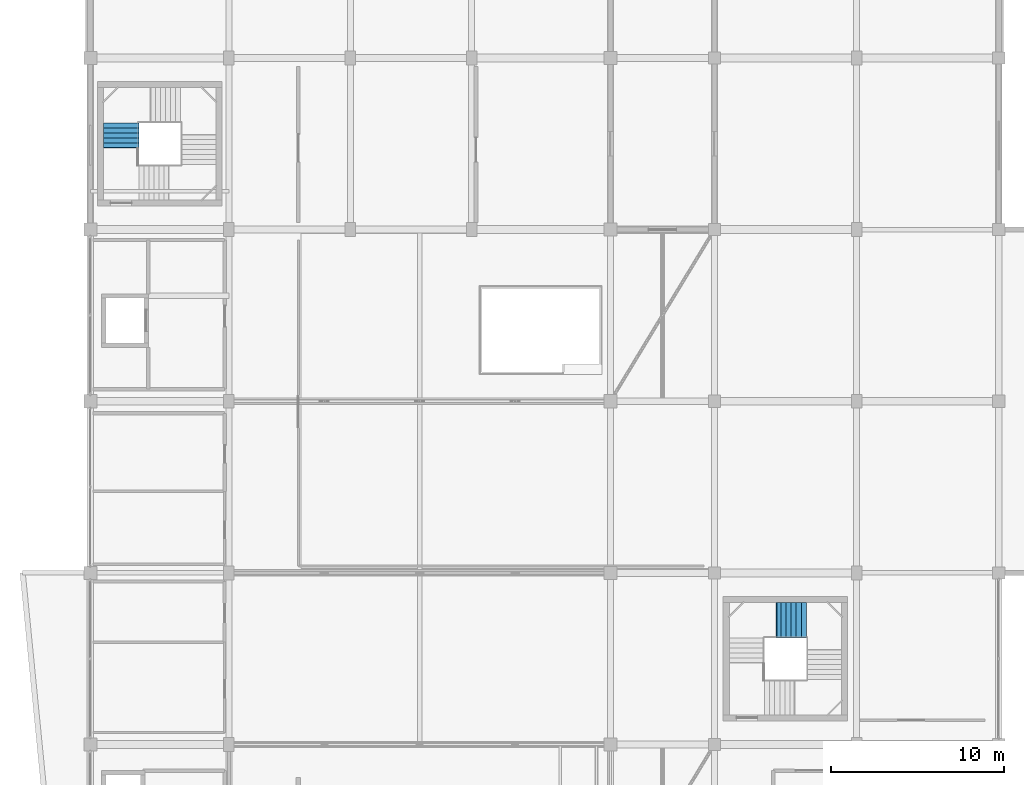
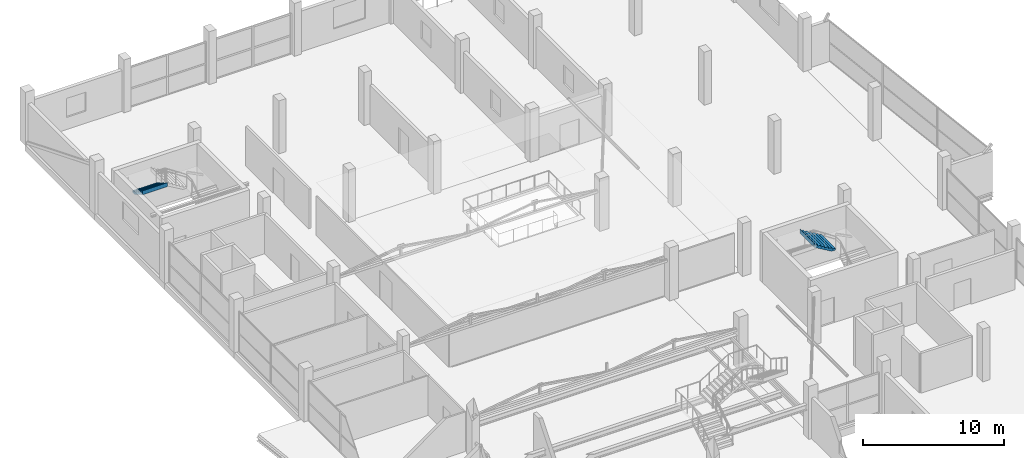
# One storey, part 52 of 55: 2 stair flights, 2 elements without a shape of their own.
"""IFC4 building model written with IfcOpenShell, lengths in metres."""

from ifc_helpers import new_model, si_unit, direction, frame, origin, place, context, subcontext, project, spatial, triangles, material, type_object, element, aggregate, save


model = new_model("IFC4")

# Units and contexts
model_context = context("Model", 3, precision=1e-05, world=origin(), true_north=direction((0.0, 1.0)))
body_context = subcontext(model_context, "Body", "Model", "MODEL_VIEW")
ifc_project = project(units=[si_unit("LENGTHUNIT", "METRE"), si_unit("AREAUNIT", "SQUARE_METRE"), si_unit("VOLUMEUNIT", "CUBIC_METRE"), si_unit("PLANEANGLEUNIT", "RADIAN"), si_unit("MASSUNIT", "GRAM", prefix="KILO")], contexts=[model_context])

# Site, building, storey
site_placement = place(None, origin())
site = spatial("IfcSite", under=ifc_project, at=site_placement, CompositionType="ELEMENT")
building_placement = place(site_placement, origin())
building = spatial("IfcBuilding", under=site, at=building_placement, Name="Sillaruma Civic Art Gallery", CompositionType="ELEMENT")
storey_placement = place(building_placement, frame((0.0, 0.0, 37.739990234375)))
storey = spatial("IfcBuildingStorey", under=building, at=storey_placement, Name="L07", CompositionType="ELEMENT", Elevation=37.739990234375)

# Stair, stair flight
ifc_material = material(Name="Concrete H35 (35 MPa)", Category="concrete")
stair_type = type_object("IfcStairType", Name="STR-4F-27", PredefinedType="USERDEFINED", material=ifc_material)
stair_1_placement = place(storey_placement, origin())
stair_1 = element("IfcStair", 1, at=stair_1_placement, inside=storey, type_object=stair_type, Name="Protected Exit Stair ST-02 (West Bar North) (L07)", ObjectType="THREE_RETURN_STAIR", PredefinedType="USERDEFINED")
stair_flight_type_1 = type_object("IfcStairFlightType", Name="SFL-STR-6", PredefinedType="STRAIGHT", material=ifc_material)
stair_flight_1_placement = place(storey_placement, frame((63.780029296875, 85.35009765625, 3.570068359375), z_axis=(0.0, 0.0, 1.0), x_axis=(0.0, -1.0, 0.0)))
stair_flight_1 = element("IfcStairFlight", 2, at=stair_flight_1_placement, type_object=stair_flight_type_1, Name="ST-02 flight 4", NumberOfRisers=6, NumberOfTreads=5, PredefinedType="STRAIGHT", RiserHeight=0.17, TreadLength=0.29, context=body_context, shape_type="Tessellation", body=[
    triangles([(0.0, -1.02001953125, 0.0), (0.29, -1.02001953125, 0.0), (0.296365, -1.02001953125, 0.0), (0.58, -1.02001953125, 0.166269), (0.87, -1.02001953125, 0.336269), (1.16, -1.02001953125, 0.506269), (1.409951, -1.02001953125, 0.652792), (1.449951, -1.02001953125, 0.67624), (1.449951, -1.02001953125, 1.02), (1.409951, -1.02001953125, 1.02), (1.409951, -1.02001953125, 0.85), (1.16, -1.02001953125, 0.85), (1.16, -1.02001953125, 0.68), (0.87, -1.02001953125, 0.68), (0.87, -1.02001953125, 0.51), (0.58, -1.02001953125, 0.51), (0.58, -1.02001953125, 0.34), (0.296365, -1.02001953125, 0.34), (0.29, -1.02001953125, 0.34), (0.29, -1.02001953125, 0.17), (0.0, -1.02001953125, 0.17), (0.0, -0.05, 0.0), (0.29, -0.05, 0.0), (0.296365, -0.05, 0.0), (0.58, -0.05, 0.166269), (0.87, -0.05, 0.336269), (1.16, -0.05, 0.506269), (1.409951, -0.05, 0.652792), (1.449951, -0.05, 0.67624), (1.449951, -0.05, 1.02), (1.409951, -0.05, 1.02), (1.409951, -0.05, 0.85), (1.16, -0.05, 0.85), (1.16, -0.05, 0.68), (0.87, -0.05, 0.68), (0.87, -0.05, 0.51), (0.58, -0.05, 0.51), (0.58, -0.05, 0.34), (0.296365, -0.05, 0.34), (0.29, -0.05, 0.34), (0.29, -0.05, 0.17), (0.0, -0.05, 0.17), (0.0, -0.0375, 0.0), (0.29, -0.0375, 0.0), (0.296365, -0.0375, 0.0), (0.58, -0.0375, 0.166269), (0.87, -0.0375, 0.336269), (1.16, -0.0375, 0.506269), (1.409951, -0.0375, 0.652792), (1.449951, -0.0375, 0.67624), (1.449951, -0.0375, 1.02), (1.409951, -0.0375, 1.02), (1.409951, -0.0375, 0.85), (1.16, -0.0375, 0.85), (1.16, -0.0375, 0.68), (0.87, -0.0375, 0.68), (0.87, -0.0375, 0.51), (0.58, -0.0375, 0.51), (0.58, -0.0375, 0.34), (0.296365, -0.0375, 0.34), (0.29, -0.0375, 0.34), (0.29, -0.0375, 0.17), (0.0, -0.0375, 0.17), (0.0, -0.025, 0.0), (0.29, -0.025, 0.0), (0.296365, -0.025, 0.0), (0.58, -0.025, 0.166269), (0.87, -0.025, 0.336269), (1.16, -0.025, 0.506269), (1.409951, -0.025, 0.652792), (1.449951, -0.025, 0.67624), (1.449951, -0.025, 1.02), (1.409951, -0.025, 1.02), (1.409951, -0.025, 0.85), (1.16, -0.025, 0.85), (1.16, -0.025, 0.68), (0.87, -0.025, 0.68), (0.87, -0.025, 0.51), (0.58, -0.025, 0.51), (0.58, -0.025, 0.34), (0.296365, -0.025, 0.34), (0.29, -0.025, 0.34), (0.29, -0.025, 0.17), (0.0, -0.025, 0.17), (0.0, -0.0125, 0.0), (0.29, -0.0125, 0.0), (0.296365, -0.0125, 0.0), (0.58, -0.0125, 0.166269), (0.87, -0.0125, 0.336269), (1.16, -0.0125, 0.506269), (1.409951, -0.0125, 0.652792), (1.449951, -0.0125, 0.67624), (1.449951, -0.0125, 1.02), (1.409951, -0.0125, 1.02), (1.409951, -0.0125, 0.85), (1.16, -0.0125, 0.85), (1.16, -0.0125, 0.68), (0.87, -0.0125, 0.68), (0.87, -0.0125, 0.51), (0.58, -0.0125, 0.51), (0.58, -0.0125, 0.34), (0.296365, -0.0125, 0.34), (0.29, -0.0125, 0.34), (0.29, -0.0125, 0.17), (0.0, -0.0125, 0.17), (0.0, 0.0, 0.0), (0.29, 0.0, 0.0), (0.296365, 0.0, 0.0), (0.58, 0.0, 0.166269), (0.87, 0.0, 0.336269), (1.16, 0.0, 0.506269), (1.409951, 0.0, 0.652792), (1.449951, 0.0, 0.67624), (1.449951, 0.0, 1.02), (1.409951, 0.0, 1.02), (1.409951, 0.0, 0.85), (1.16, 0.0, 0.85), (1.16, 0.0, 0.68), (0.87, 0.0, 0.68), (0.87, 0.0, 0.51), (0.58, 0.0, 0.51), (0.58, 0.0, 0.34), (0.296365, 0.0, 0.34), (0.29, 0.0, 0.34), (0.29, 0.0, 0.17), (0.0, 0.0, 0.17), (0.0, 0.0125, 0.0), (0.29, 0.0125, 0.0), (0.296365, 0.0125, 0.0), (0.58, 0.0125, 0.166269), (0.87, 0.0125, 0.336269), (1.16, 0.0125, 0.506269), (1.409951, 0.0125, 0.652792), (1.449951, 0.0125, 0.67624), (1.449951, 0.0125, 1.02), (1.409951, 0.0125, 1.02), (1.409951, 0.0125, 0.85), (1.16, 0.0125, 0.85), (1.16, 0.0125, 0.68), (0.87, 0.0125, 0.68), (0.87, 0.0125, 0.51), (0.58, 0.0125, 0.51), (0.58, 0.0125, 0.34), (0.296365, 0.0125, 0.34), (0.29, 0.0125, 0.34), (0.29, 0.0125, 0.17), (0.0, 0.0125, 0.17), (0.0, 0.025, 0.0), (0.29, 0.025, 0.0), (0.296365, 0.025, 0.0), (0.58, 0.025, 0.166269), (0.87, 0.025, 0.336269), (1.16, 0.025, 0.506269), (1.409951, 0.025, 0.652792), (1.449951, 0.025, 0.67624), (1.449951, 0.025, 1.02), (1.409951, 0.025, 1.02), (1.409951, 0.025, 0.85), (1.16, 0.025, 0.85), (1.16, 0.025, 0.68), (0.87, 0.025, 0.68), (0.87, 0.025, 0.51), (0.58, 0.025, 0.51), (0.58, 0.025, 0.34), (0.296365, 0.025, 0.34), (0.29, 0.025, 0.34), (0.29, 0.025, 0.17), (0.0, 0.025, 0.17), (0.0, 0.0375, 0.0), (0.29, 0.0375, 0.0), (0.296365, 0.0375, 0.0), (0.58, 0.0375, 0.166269), (0.87, 0.0375, 0.336269), (1.16, 0.0375, 0.506269), (1.409951, 0.0375, 0.652792), (1.449951, 0.0375, 0.67624), (1.449951, 0.0375, 1.02), (1.409951, 0.0375, 1.02), (1.409951, 0.0375, 0.85), (1.16, 0.0375, 0.85), (1.16, 0.0375, 0.68), (0.87, 0.0375, 0.68), (0.87, 0.0375, 0.51), (0.58, 0.0375, 0.51), (0.58, 0.0375, 0.34), (0.296365, 0.0375, 0.34), (0.29, 0.0375, 0.34), (0.29, 0.0375, 0.17), (0.0, 0.0375, 0.17), (0.0, 0.05, 0.0), (0.29, 0.05, 0.0), (0.296365, 0.05, 0.0), (0.58, 0.05, 0.166269), (0.87, 0.05, 0.336269), (1.16, 0.05, 0.506269), (1.409951, 0.05, 0.652792), (1.449951, 0.05, 0.67624), (1.449951, 0.05, 1.02), (1.409951, 0.05, 1.02), (1.409951, 0.05, 0.85), (1.16, 0.05, 0.85), (1.16, 0.05, 0.68), (0.87, 0.05, 0.68), (0.87, 0.05, 0.51), (0.58, 0.05, 0.51), (0.58, 0.05, 0.34), (0.296365, 0.05, 0.34), (0.29, 0.05, 0.34), (0.29, 0.05, 0.17), (0.0, 0.05, 0.17), (0.0, 1.02001953125, 0.0), (0.29, 1.02001953125, 0.0), (0.296365, 1.02001953125, 0.0), (0.58, 1.02001953125, 0.166269), (0.87, 1.02001953125, 0.336269), (1.16, 1.02001953125, 0.506269), (1.409951, 1.02001953125, 0.652792), (1.449951, 1.02001953125, 0.67624), (1.449951, 1.02001953125, 1.02), (1.409951, 1.02001953125, 1.02), (1.409951, 1.02001953125, 0.85), (1.16, 1.02001953125, 0.85), (1.16, 1.02001953125, 0.68), (0.87, 1.02001953125, 0.68), (0.87, 1.02001953125, 0.51), (0.58, 1.02001953125, 0.51), (0.58, 1.02001953125, 0.34), (0.296365, 1.02001953125, 0.34), (0.29, 1.02001953125, 0.34), (0.29, 1.02001953125, 0.17), (0.0, 1.02001953125, 0.17)], [[1, 2, 20], [1, 20, 21], [2, 3, 18], [2, 18, 20], [20, 18, 19], [3, 4, 17], [3, 17, 18], [4, 5, 15], [4, 15, 17], [17, 15, 16], [5, 6, 13], [5, 13, 15], [15, 13, 14], [6, 7, 11], [6, 11, 13], [13, 11, 12], [7, 8, 9], [7, 9, 11], [11, 9, 10], [230, 212, 211], [231, 230, 211], [228, 213, 212], [230, 228, 212], [229, 228, 230], [227, 214, 213], [228, 227, 213], [225, 215, 214], [227, 225, 214], [226, 225, 227], [223, 216, 215], [225, 223, 215], [224, 223, 225], [221, 217, 216], [223, 221, 216], [222, 221, 223], [219, 218, 217], [221, 219, 217], [220, 219, 221], [2, 1, 22], [2, 22, 23], [3, 2, 23], [3, 23, 24], [4, 3, 24], [4, 24, 25], [5, 4, 25], [5, 25, 26], [6, 5, 26], [6, 26, 27], [7, 6, 27], [7, 27, 28], [8, 7, 28], [8, 28, 29], [9, 8, 29], [9, 29, 30], [10, 9, 30], [10, 30, 31], [11, 10, 31], [11, 31, 32], [12, 11, 32], [12, 32, 33], [13, 12, 33], [13, 33, 34], [14, 13, 34], [14, 34, 35], [15, 14, 35], [15, 35, 36], [16, 15, 36], [16, 36, 37], [17, 16, 37], [17, 37, 38], [18, 17, 38], [18, 38, 39], [19, 18, 39], [19, 39, 40], [20, 19, 40], [20, 40, 41], [21, 20, 41], [21, 41, 42], [1, 21, 42], [1, 42, 22], [23, 22, 43], [23, 43, 44], [24, 23, 44], [24, 44, 45], [25, 24, 45], [25, 45, 46], [26, 25, 46], [26, 46, 47], [27, 26, 47], [27, 47, 48], [28, 27, 48], [28, 48, 49], [29, 28, 49], [29, 49, 50], [30, 29, 50], [30, 50, 51], [31, 30, 51], [31, 51, 52], [32, 31, 52], [32, 52, 53], [33, 32, 53], [33, 53, 54], [34, 33, 54], [34, 54, 55], [35, 34, 55], [35, 55, 56], [36, 35, 56], [36, 56, 57], [37, 36, 57], [37, 57, 58], [38, 37, 58], [38, 58, 59], [39, 38, 59], [39, 59, 60], [40, 39, 60], [40, 60, 61], [41, 40, 61], [41, 61, 62], [42, 41, 62], [42, 62, 63], [22, 42, 63], [22, 63, 43], [44, 43, 64], [44, 64, 65], [45, 44, 65], [45, 65, 66], [46, 45, 66], [46, 66, 67], [47, 46, 67], [47, 67, 68], [48, 47, 68], [48, 68, 69], [49, 48, 69], [49, 69, 70], [50, 49, 70], [50, 70, 71], [51, 50, 71], [51, 71, 72], [52, 51, 72], [52, 72, 73], [53, 52, 73], [53, 73, 74], [54, 53, 74], [54, 74, 75], [55, 54, 75], [55, 75, 76], [56, 55, 76], [56, 76, 77], [57, 56, 77], [57, 77, 78], [58, 57, 78], [58, 78, 79], [59, 58, 79], [59, 79, 80], [60, 59, 80], [60, 80, 81], [61, 60, 81], [61, 81, 82], [62, 61, 82], [62, 82, 83], [63, 62, 83], [63, 83, 84], [43, 63, 84], [43, 84, 64], [65, 64, 85], [65, 85, 86], [66, 65, 86], [66, 86, 87], [67, 66, 87], [67, 87, 88], [68, 67, 88], [68, 88, 89], [69, 68, 89], [69, 89, 90], [70, 69, 90], [70, 90, 91], [71, 70, 91], [71, 91, 92], [72, 71, 92], [72, 92, 93], [73, 72, 93], [73, 93, 94], [74, 73, 94], [74, 94, 95], [75, 74, 95], [75, 95, 96], [76, 75, 96], [76, 96, 97], [77, 76, 97], [77, 97, 98], [78, 77, 98], [78, 98, 99], [79, 78, 99], [79, 99, 100], [80, 79, 100], [80, 100, 101], [81, 80, 101], [81, 101, 102], [82, 81, 102], [82, 102, 103], [83, 82, 103], [83, 103, 104], [84, 83, 104], [84, 104, 105], [64, 84, 105], [64, 105, 85], [86, 85, 106], [86, 106, 107], [87, 86, 107], [87, 107, 108], [88, 87, 108], [88, 108, 109], [89, 88, 109], [89, 109, 110], [90, 89, 110], [90, 110, 111], [91, 90, 111], [91, 111, 112], [92, 91, 112], [92, 112, 113], [93, 92, 113], [93, 113, 114], [94, 93, 114], [94, 114, 115], [95, 94, 115], [95, 115, 116], [96, 95, 116], [96, 116, 117], [97, 96, 117], [97, 117, 118], [98, 97, 118], [98, 118, 119], [99, 98, 119], [99, 119, 120], [100, 99, 120], [100, 120, 121], [101, 100, 121], [101, 121, 122], [102, 101, 122], [102, 122, 123], [103, 102, 123], [103, 123, 124], [104, 103, 124], [104, 124, 125], [105, 104, 125], [105, 125, 126], [85, 105, 126], [85, 126, 106], [107, 106, 127], [107, 127, 128], [108, 107, 128], [108, 128, 129], [109, 108, 129], [109, 129, 130], [110, 109, 130], [110, 130, 131], [111, 110, 131], [111, 131, 132], [112, 111, 132], [112, 132, 133], [113, 112, 133], [113, 133, 134], [114, 113, 134], [114, 134, 135], [115, 114, 135], [115, 135, 136], [116, 115, 136], [116, 136, 137], [117, 116, 137], [117, 137, 138], [118, 117, 138], [118, 138, 139], [119, 118, 139], [119, 139, 140], [120, 119, 140], [120, 140, 141], [121, 120, 141], [121, 141, 142], [122, 121, 142], [122, 142, 143], [123, 122, 143], [123, 143, 144], [124, 123, 144], [124, 144, 145], [125, 124, 145], [125, 145, 146], [126, 125, 146], [126, 146, 147], [106, 126, 147], [106, 147, 127], [128, 127, 148], [128, 148, 149], [129, 128, 149], [129, 149, 150], [130, 129, 150], [130, 150, 151], [131, 130, 151], [131, 151, 152], [132, 131, 152], [132, 152, 153], [133, 132, 153], [133, 153, 154], [134, 133, 154], [134, 154, 155], [135, 134, 155], [135, 155, 156], [136, 135, 156], [136, 156, 157], [137, 136, 157], [137, 157, 158], [138, 137, 158], [138, 158, 159], [139, 138, 159], [139, 159, 160], [140, 139, 160], [140, 160, 161], [141, 140, 161], [141, 161, 162], [142, 141, 162], [142, 162, 163], [143, 142, 163], [143, 163, 164], [144, 143, 164], [144, 164, 165], [145, 144, 165], [145, 165, 166], [146, 145, 166], [146, 166, 167], [147, 146, 167], [147, 167, 168], [127, 147, 168], [127, 168, 148], [149, 148, 169], [149, 169, 170], [150, 149, 170], [150, 170, 171], [151, 150, 171], [151, 171, 172], [152, 151, 172], [152, 172, 173], [153, 152, 173], [153, 173, 174], [154, 153, 174], [154, 174, 175], [155, 154, 175], [155, 175, 176], [156, 155, 176], [156, 176, 177], [157, 156, 177], [157, 177, 178], [158, 157, 178], [158, 178, 179], [159, 158, 179], [159, 179, 180], [160, 159, 180], [160, 180, 181], [161, 160, 181], [161, 181, 182], [162, 161, 182], [162, 182, 183], [163, 162, 183], [163, 183, 184], [164, 163, 184], [164, 184, 185], [165, 164, 185], [165, 185, 186], [166, 165, 186], [166, 186, 187], [167, 166, 187], [167, 187, 188], [168, 167, 188], [168, 188, 189], [148, 168, 189], [148, 189, 169], [170, 169, 190], [170, 190, 191], [171, 170, 191], [171, 191, 192], [172, 171, 192], [172, 192, 193], [173, 172, 193], [173, 193, 194], [174, 173, 194], [174, 194, 195], [175, 174, 195], [175, 195, 196], [176, 175, 196], [176, 196, 197], [177, 176, 197], [177, 197, 198], [178, 177, 198], [178, 198, 199], [179, 178, 199], [179, 199, 200], [180, 179, 200], [180, 200, 201], [181, 180, 201], [181, 201, 202], [182, 181, 202], [182, 202, 203], [183, 182, 203], [183, 203, 204], [184, 183, 204], [184, 204, 205], [185, 184, 205], [185, 205, 206], [186, 185, 206], [186, 206, 207], [187, 186, 207], [187, 207, 208], [188, 187, 208], [188, 208, 209], [189, 188, 209], [189, 209, 210], [169, 189, 210], [169, 210, 190], [191, 190, 211], [191, 211, 212], [192, 191, 212], [192, 212, 213], [193, 192, 213], [193, 213, 214], [194, 193, 214], [194, 214, 215], [195, 194, 215], [195, 215, 216], [196, 195, 216], [196, 216, 217], [197, 196, 217], [197, 217, 218], [198, 197, 218], [198, 218, 219], [199, 198, 219], [199, 219, 220], [200, 199, 220], [200, 220, 221], [201, 200, 221], [201, 221, 222], [202, 201, 222], [202, 222, 223], [203, 202, 223], [203, 223, 224], [204, 203, 224], [204, 224, 225], [205, 204, 225], [205, 225, 226], [206, 205, 226], [206, 226, 227], [207, 206, 227], [207, 227, 228], [208, 207, 228], [208, 228, 229], [209, 208, 229], [209, 229, 230], [210, 209, 230], [210, 230, 231], [190, 210, 231], [190, 231, 211]], closed=True),
])
aggregate(stair_1, [stair_flight_1])

stair_2_placement = place(storey_placement, origin())
stair_2 = element("IfcStair", 3, at=stair_2_placement, inside=storey, type_object=stair_type, Name="Protected Exit Stair ST-04 (East Bar) (L07)", ObjectType="THREE_RETURN_STAIR", PredefinedType="USERDEFINED")
stair_flight_type_2 = type_object("IfcStairFlightType", Name="SFL-STR-7", PredefinedType="STRAIGHT", material=ifc_material)
stair_flight_2_placement = place(storey_placement, frame((103.300048828125, 56.669921875, 2.380126953125), z_axis=(0.0, 0.0, 1.0), x_axis=(-1.0, 0.0, 0.0)))
stair_flight_2 = element("IfcStairFlight", 4, at=stair_flight_2_placement, type_object=stair_flight_type_2, Name="ST-04 flight 3", NumberOfRisers=7, NumberOfTreads=6, PredefinedType="STRAIGHT", RiserHeight=0.17, TreadLength=0.29, context=body_context, shape_type="Tessellation", body=[
    triangles([(0.0, -1.02001953125, 0.0), (0.29, -1.02001953125, 0.0), (0.296404, -1.02001953125, 0.0), (0.58, -1.02001953125, 0.166246), (0.87, -1.02001953125, 0.336246), (1.16, -1.02001953125, 0.506246), (1.45, -1.02001953125, 0.676246), (1.69999, -1.02001953125, 0.822792), (1.73999, -1.02001953125, 0.84624), (1.73999, -1.02001953125, 1.19), (1.69999, -1.02001953125, 1.19), (1.69999, -1.02001953125, 1.02), (1.45, -1.02001953125, 1.02), (1.45, -1.02001953125, 0.85), (1.16, -1.02001953125, 0.85), (1.16, -1.02001953125, 0.68), (0.87, -1.02001953125, 0.68), (0.87, -1.02001953125, 0.51), (0.58, -1.02001953125, 0.51), (0.58, -1.02001953125, 0.34), (0.296404, -1.02001953125, 0.34), (0.29, -1.02001953125, 0.34), (0.29, -1.02001953125, 0.17), (0.0, -1.02001953125, 0.17), (0.0, -0.05, 0.0), (0.29, -0.05, 0.0), (0.296404, -0.05, 0.0), (0.58, -0.05, 0.166246), (0.87, -0.05, 0.336246), (1.16, -0.05, 0.506246), (1.45, -0.05, 0.676246), (1.69999, -0.05, 0.822792), (1.73999, -0.05, 0.84624), (1.73999, -0.05, 1.19), (1.69999, -0.05, 1.19), (1.69999, -0.05, 1.02), (1.45, -0.05, 1.02), (1.45, -0.05, 0.85), (1.16, -0.05, 0.85), (1.16, -0.05, 0.68), (0.87, -0.05, 0.68), (0.87, -0.05, 0.51), (0.58, -0.05, 0.51), (0.58, -0.05, 0.34), (0.296404, -0.05, 0.34), (0.29, -0.05, 0.34), (0.29, -0.05, 0.17), (0.0, -0.05, 0.17), (0.0, -0.0375, 0.0), (0.29, -0.0375, 0.0), (0.296404, -0.0375, 0.0), (0.58, -0.0375, 0.166246), (0.87, -0.0375, 0.336246), (1.16, -0.0375, 0.506246), (1.45, -0.0375, 0.676246), (1.69999, -0.0375, 0.822792), (1.73999, -0.0375, 0.84624), (1.73999, -0.0375, 1.19), (1.69999, -0.0375, 1.19), (1.69999, -0.0375, 1.02), (1.45, -0.0375, 1.02), (1.45, -0.0375, 0.85), (1.16, -0.0375, 0.85), (1.16, -0.0375, 0.68), (0.87, -0.0375, 0.68), (0.87, -0.0375, 0.51), (0.58, -0.0375, 0.51), (0.58, -0.0375, 0.34), (0.296404, -0.0375, 0.34), (0.29, -0.0375, 0.34), (0.29, -0.0375, 0.17), (0.0, -0.0375, 0.17), (0.0, -0.025, 0.0), (0.29, -0.025, 0.0), (0.296404, -0.025, 0.0), (0.58, -0.025, 0.166246), (0.87, -0.025, 0.336246), (1.16, -0.025, 0.506246), (1.45, -0.025, 0.676246), (1.69999, -0.025, 0.822792), (1.73999, -0.025, 0.84624), (1.73999, -0.025, 1.19), (1.69999, -0.025, 1.19), (1.69999, -0.025, 1.02), (1.45, -0.025, 1.02), (1.45, -0.025, 0.85), (1.16, -0.025, 0.85), (1.16, -0.025, 0.68), (0.87, -0.025, 0.68), (0.87, -0.025, 0.51), (0.58, -0.025, 0.51), (0.58, -0.025, 0.34), (0.296404, -0.025, 0.34), (0.29, -0.025, 0.34), (0.29, -0.025, 0.17), (0.0, -0.025, 0.17), (0.0, -0.0125, 0.0), (0.29, -0.0125, 0.0), (0.296404, -0.0125, 0.0), (0.58, -0.0125, 0.166246), (0.87, -0.0125, 0.336246), (1.16, -0.0125, 0.506246), (1.45, -0.0125, 0.676246), (1.69999, -0.0125, 0.822792), (1.73999, -0.0125, 0.84624), (1.73999, -0.0125, 1.19), (1.69999, -0.0125, 1.19), (1.69999, -0.0125, 1.02), (1.45, -0.0125, 1.02), (1.45, -0.0125, 0.85), (1.16, -0.0125, 0.85), (1.16, -0.0125, 0.68), (0.87, -0.0125, 0.68), (0.87, -0.0125, 0.51), (0.58, -0.0125, 0.51), (0.58, -0.0125, 0.34), (0.296404, -0.0125, 0.34), (0.29, -0.0125, 0.34), (0.29, -0.0125, 0.17), (0.0, -0.0125, 0.17), (0.0, 0.0, 0.0), (0.29, 0.0, 0.0), (0.296404, 0.0, 0.0), (0.58, 0.0, 0.166246), (0.87, 0.0, 0.336246), (1.16, 0.0, 0.506246), (1.45, 0.0, 0.676246), (1.69999, 0.0, 0.822792), (1.73999, 0.0, 0.84624), (1.73999, 0.0, 1.19), (1.69999, 0.0, 1.19), (1.69999, 0.0, 1.02), (1.45, 0.0, 1.02), (1.45, 0.0, 0.85), (1.16, 0.0, 0.85), (1.16, 0.0, 0.68), (0.87, 0.0, 0.68), (0.87, 0.0, 0.51), (0.58, 0.0, 0.51), (0.58, 0.0, 0.34), (0.296404, 0.0, 0.34), (0.29, 0.0, 0.34), (0.29, 0.0, 0.17), (0.0, 0.0, 0.17), (0.0, 0.0125, 0.0), (0.29, 0.0125, 0.0), (0.296404, 0.0125, 0.0), (0.58, 0.0125, 0.166246), (0.87, 0.0125, 0.336246), (1.16, 0.0125, 0.506246), (1.45, 0.0125, 0.676246), (1.69999, 0.0125, 0.822792), (1.73999, 0.0125, 0.84624), (1.73999, 0.0125, 1.19), (1.69999, 0.0125, 1.19), (1.69999, 0.0125, 1.02), (1.45, 0.0125, 1.02), (1.45, 0.0125, 0.85), (1.16, 0.0125, 0.85), (1.16, 0.0125, 0.68), (0.87, 0.0125, 0.68), (0.87, 0.0125, 0.51), (0.58, 0.0125, 0.51), (0.58, 0.0125, 0.34), (0.296404, 0.0125, 0.34), (0.29, 0.0125, 0.34), (0.29, 0.0125, 0.17), (0.0, 0.0125, 0.17), (0.0, 0.025, 0.0), (0.29, 0.025, 0.0), (0.296404, 0.025, 0.0), (0.58, 0.025, 0.166246), (0.87, 0.025, 0.336246), (1.16, 0.025, 0.506246), (1.45, 0.025, 0.676246), (1.69999, 0.025, 0.822792), (1.73999, 0.025, 0.84624), (1.73999, 0.025, 1.19), (1.69999, 0.025, 1.19), (1.69999, 0.025, 1.02), (1.45, 0.025, 1.02), (1.45, 0.025, 0.85), (1.16, 0.025, 0.85), (1.16, 0.025, 0.68), (0.87, 0.025, 0.68), (0.87, 0.025, 0.51), (0.58, 0.025, 0.51), (0.58, 0.025, 0.34), (0.296404, 0.025, 0.34), (0.29, 0.025, 0.34), (0.29, 0.025, 0.17), (0.0, 0.025, 0.17), (0.0, 0.0375, 0.0), (0.29, 0.0375, 0.0), (0.296404, 0.0375, 0.0), (0.58, 0.0375, 0.166246), (0.87, 0.0375, 0.336246), (1.16, 0.0375, 0.506246), (1.45, 0.0375, 0.676246), (1.69999, 0.0375, 0.822792), (1.73999, 0.0375, 0.84624), (1.73999, 0.0375, 1.19), (1.69999, 0.0375, 1.19), (1.69999, 0.0375, 1.02), (1.45, 0.0375, 1.02), (1.45, 0.0375, 0.85), (1.16, 0.0375, 0.85), (1.16, 0.0375, 0.68), (0.87, 0.0375, 0.68), (0.87, 0.0375, 0.51), (0.58, 0.0375, 0.51), (0.58, 0.0375, 0.34), (0.296404, 0.0375, 0.34), (0.29, 0.0375, 0.34), (0.29, 0.0375, 0.17), (0.0, 0.0375, 0.17), (0.0, 0.05, 0.0), (0.29, 0.05, 0.0), (0.296404, 0.05, 0.0), (0.58, 0.05, 0.166246), (0.87, 0.05, 0.336246), (1.16, 0.05, 0.506246), (1.45, 0.05, 0.676246), (1.69999, 0.05, 0.822792), (1.73999, 0.05, 0.84624), (1.73999, 0.05, 1.19), (1.69999, 0.05, 1.19), (1.69999, 0.05, 1.02), (1.45, 0.05, 1.02), (1.45, 0.05, 0.85), (1.16, 0.05, 0.85), (1.16, 0.05, 0.68), (0.87, 0.05, 0.68), (0.87, 0.05, 0.51), (0.58, 0.05, 0.51), (0.58, 0.05, 0.34), (0.296404, 0.05, 0.34), (0.29, 0.05, 0.34), (0.29, 0.05, 0.17), (0.0, 0.05, 0.17), (0.0, 1.02001953125, 0.0), (0.29, 1.02001953125, 0.0), (0.296404, 1.02001953125, 0.0), (0.58, 1.02001953125, 0.166246), (0.87, 1.02001953125, 0.336246), (1.16, 1.02001953125, 0.506246), (1.45, 1.02001953125, 0.676246), (1.69999, 1.02001953125, 0.822792), (1.73999, 1.02001953125, 0.84624), (1.73999, 1.02001953125, 1.19), (1.69999, 1.02001953125, 1.19), (1.69999, 1.02001953125, 1.02), (1.45, 1.02001953125, 1.02), (1.45, 1.02001953125, 0.85), (1.16, 1.02001953125, 0.85), (1.16, 1.02001953125, 0.68), (0.87, 1.02001953125, 0.68), (0.87, 1.02001953125, 0.51), (0.58, 1.02001953125, 0.51), (0.58, 1.02001953125, 0.34), (0.296404, 1.02001953125, 0.34), (0.29, 1.02001953125, 0.34), (0.29, 1.02001953125, 0.17), (0.0, 1.02001953125, 0.17)], [[1, 2, 23], [1, 23, 24], [2, 3, 21], [2, 21, 23], [23, 21, 22], [3, 4, 20], [3, 20, 21], [4, 5, 18], [4, 18, 20], [20, 18, 19], [5, 6, 16], [5, 16, 18], [18, 16, 17], [6, 7, 14], [6, 14, 16], [16, 14, 15], [7, 8, 12], [7, 12, 14], [14, 12, 13], [8, 9, 10], [8, 10, 12], [12, 10, 11], [263, 242, 241], [264, 263, 241], [261, 243, 242], [263, 261, 242], [262, 261, 263], [260, 244, 243], [261, 260, 243], [258, 245, 244], [260, 258, 244], [259, 258, 260], [256, 246, 245], [258, 256, 245], [257, 256, 258], [254, 247, 246], [256, 254, 246], [255, 254, 256], [252, 248, 247], [254, 252, 247], [253, 252, 254], [250, 249, 248], [252, 250, 248], [251, 250, 252], [2, 1, 25], [2, 25, 26], [3, 2, 26], [3, 26, 27], [4, 3, 27], [4, 27, 28], [5, 4, 28], [5, 28, 29], [6, 5, 29], [6, 29, 30], [7, 6, 30], [7, 30, 31], [8, 7, 31], [8, 31, 32], [9, 8, 32], [9, 32, 33], [10, 9, 33], [10, 33, 34], [11, 10, 34], [11, 34, 35], [12, 11, 35], [12, 35, 36], [13, 12, 36], [13, 36, 37], [14, 13, 37], [14, 37, 38], [15, 14, 38], [15, 38, 39], [16, 15, 39], [16, 39, 40], [17, 16, 40], [17, 40, 41], [18, 17, 41], [18, 41, 42], [19, 18, 42], [19, 42, 43], [20, 19, 43], [20, 43, 44], [21, 20, 44], [21, 44, 45], [22, 21, 45], [22, 45, 46], [23, 22, 46], [23, 46, 47], [24, 23, 47], [24, 47, 48], [1, 24, 48], [1, 48, 25], [26, 25, 49], [26, 49, 50], [27, 26, 50], [27, 50, 51], [28, 27, 51], [28, 51, 52], [29, 28, 52], [29, 52, 53], [30, 29, 53], [30, 53, 54], [31, 30, 54], [31, 54, 55], [32, 31, 55], [32, 55, 56], [33, 32, 56], [33, 56, 57], [34, 33, 57], [34, 57, 58], [35, 34, 58], [35, 58, 59], [36, 35, 59], [36, 59, 60], [37, 36, 60], [37, 60, 61], [38, 37, 61], [38, 61, 62], [39, 38, 62], [39, 62, 63], [40, 39, 63], [40, 63, 64], [41, 40, 64], [41, 64, 65], [42, 41, 65], [42, 65, 66], [43, 42, 66], [43, 66, 67], [44, 43, 67], [44, 67, 68], [45, 44, 68], [45, 68, 69], [46, 45, 69], [46, 69, 70], [47, 46, 70], [47, 70, 71], [48, 47, 71], [48, 71, 72], [25, 48, 72], [25, 72, 49], [50, 49, 73], [50, 73, 74], [51, 50, 74], [51, 74, 75], [52, 51, 75], [52, 75, 76], [53, 52, 76], [53, 76, 77], [54, 53, 77], [54, 77, 78], [55, 54, 78], [55, 78, 79], [56, 55, 79], [56, 79, 80], [57, 56, 80], [57, 80, 81], [58, 57, 81], [58, 81, 82], [59, 58, 82], [59, 82, 83], [60, 59, 83], [60, 83, 84], [61, 60, 84], [61, 84, 85], [62, 61, 85], [62, 85, 86], [63, 62, 86], [63, 86, 87], [64, 63, 87], [64, 87, 88], [65, 64, 88], [65, 88, 89], [66, 65, 89], [66, 89, 90], [67, 66, 90], [67, 90, 91], [68, 67, 91], [68, 91, 92], [69, 68, 92], [69, 92, 93], [70, 69, 93], [70, 93, 94], [71, 70, 94], [71, 94, 95], [72, 71, 95], [72, 95, 96], [49, 72, 96], [49, 96, 73], [74, 73, 97], [74, 97, 98], [75, 74, 98], [75, 98, 99], [76, 75, 99], [76, 99, 100], [77, 76, 100], [77, 100, 101], [78, 77, 101], [78, 101, 102], [79, 78, 102], [79, 102, 103], [80, 79, 103], [80, 103, 104], [81, 80, 104], [81, 104, 105], [82, 81, 105], [82, 105, 106], [83, 82, 106], [83, 106, 107], [84, 83, 107], [84, 107, 108], [85, 84, 108], [85, 108, 109], [86, 85, 109], [86, 109, 110], [87, 86, 110], [87, 110, 111], [88, 87, 111], [88, 111, 112], [89, 88, 112], [89, 112, 113], [90, 89, 113], [90, 113, 114], [91, 90, 114], [91, 114, 115], [92, 91, 115], [92, 115, 116], [93, 92, 116], [93, 116, 117], [94, 93, 117], [94, 117, 118], [95, 94, 118], [95, 118, 119], [96, 95, 119], [96, 119, 120], [73, 96, 120], [73, 120, 97], [98, 97, 121], [98, 121, 122], [99, 98, 122], [99, 122, 123], [100, 99, 123], [100, 123, 124], [101, 100, 124], [101, 124, 125], [102, 101, 125], [102, 125, 126], [103, 102, 126], [103, 126, 127], [104, 103, 127], [104, 127, 128], [105, 104, 128], [105, 128, 129], [106, 105, 129], [106, 129, 130], [107, 106, 130], [107, 130, 131], [108, 107, 131], [108, 131, 132], [109, 108, 132], [109, 132, 133], [110, 109, 133], [110, 133, 134], [111, 110, 134], [111, 134, 135], [112, 111, 135], [112, 135, 136], [113, 112, 136], [113, 136, 137], [114, 113, 137], [114, 137, 138], [115, 114, 138], [115, 138, 139], [116, 115, 139], [116, 139, 140], [117, 116, 140], [117, 140, 141], [118, 117, 141], [118, 141, 142], [119, 118, 142], [119, 142, 143], [120, 119, 143], [120, 143, 144], [97, 120, 144], [97, 144, 121], [122, 121, 145], [122, 145, 146], [123, 122, 146], [123, 146, 147], [124, 123, 147], [124, 147, 148], [125, 124, 148], [125, 148, 149], [126, 125, 149], [126, 149, 150], [127, 126, 150], [127, 150, 151], [128, 127, 151], [128, 151, 152], [129, 128, 152], [129, 152, 153], [130, 129, 153], [130, 153, 154], [131, 130, 154], [131, 154, 155], [132, 131, 155], [132, 155, 156], [133, 132, 156], [133, 156, 157], [134, 133, 157], [134, 157, 158], [135, 134, 158], [135, 158, 159], [136, 135, 159], [136, 159, 160], [137, 136, 160], [137, 160, 161], [138, 137, 161], [138, 161, 162], [139, 138, 162], [139, 162, 163], [140, 139, 163], [140, 163, 164], [141, 140, 164], [141, 164, 165], [142, 141, 165], [142, 165, 166], [143, 142, 166], [143, 166, 167], [144, 143, 167], [144, 167, 168], [121, 144, 168], [121, 168, 145], [146, 145, 169], [146, 169, 170], [147, 146, 170], [147, 170, 171], [148, 147, 171], [148, 171, 172], [149, 148, 172], [149, 172, 173], [150, 149, 173], [150, 173, 174], [151, 150, 174], [151, 174, 175], [152, 151, 175], [152, 175, 176], [153, 152, 176], [153, 176, 177], [154, 153, 177], [154, 177, 178], [155, 154, 178], [155, 178, 179], [156, 155, 179], [156, 179, 180], [157, 156, 180], [157, 180, 181], [158, 157, 181], [158, 181, 182], [159, 158, 182], [159, 182, 183], [160, 159, 183], [160, 183, 184], [161, 160, 184], [161, 184, 185], [162, 161, 185], [162, 185, 186], [163, 162, 186], [163, 186, 187], [164, 163, 187], [164, 187, 188], [165, 164, 188], [165, 188, 189], [166, 165, 189], [166, 189, 190], [167, 166, 190], [167, 190, 191], [168, 167, 191], [168, 191, 192], [145, 168, 192], [145, 192, 169], [170, 169, 193], [170, 193, 194], [171, 170, 194], [171, 194, 195], [172, 171, 195], [172, 195, 196], [173, 172, 196], [173, 196, 197], [174, 173, 197], [174, 197, 198], [175, 174, 198], [175, 198, 199], [176, 175, 199], [176, 199, 200], [177, 176, 200], [177, 200, 201], [178, 177, 201], [178, 201, 202], [179, 178, 202], [179, 202, 203], [180, 179, 203], [180, 203, 204], [181, 180, 204], [181, 204, 205], [182, 181, 205], [182, 205, 206], [183, 182, 206], [183, 206, 207], [184, 183, 207], [184, 207, 208], [185, 184, 208], [185, 208, 209], [186, 185, 209], [186, 209, 210], [187, 186, 210], [187, 210, 211], [188, 187, 211], [188, 211, 212], [189, 188, 212], [189, 212, 213], [190, 189, 213], [190, 213, 214], [191, 190, 214], [191, 214, 215], [192, 191, 215], [192, 215, 216], [169, 192, 216], [169, 216, 193], [194, 193, 217], [194, 217, 218], [195, 194, 218], [195, 218, 219], [196, 195, 219], [196, 219, 220], [197, 196, 220], [197, 220, 221], [198, 197, 221], [198, 221, 222], [199, 198, 222], [199, 222, 223], [200, 199, 223], [200, 223, 224], [201, 200, 224], [201, 224, 225], [202, 201, 225], [202, 225, 226], [203, 202, 226], [203, 226, 227], [204, 203, 227], [204, 227, 228], [205, 204, 228], [205, 228, 229], [206, 205, 229], [206, 229, 230], [207, 206, 230], [207, 230, 231], [208, 207, 231], [208, 231, 232], [209, 208, 232], [209, 232, 233], [210, 209, 233], [210, 233, 234], [211, 210, 234], [211, 234, 235], [212, 211, 235], [212, 235, 236], [213, 212, 236], [213, 236, 237], [214, 213, 237], [214, 237, 238], [215, 214, 238], [215, 238, 239], [216, 215, 239], [216, 239, 240], [193, 216, 240], [193, 240, 217], [218, 217, 241], [218, 241, 242], [219, 218, 242], [219, 242, 243], [220, 219, 243], [220, 243, 244], [221, 220, 244], [221, 244, 245], [222, 221, 245], [222, 245, 246], [223, 222, 246], [223, 246, 247], [224, 223, 247], [224, 247, 248], [225, 224, 248], [225, 248, 249], [226, 225, 249], [226, 249, 250], [227, 226, 250], [227, 250, 251], [228, 227, 251], [228, 251, 252], [229, 228, 252], [229, 252, 253], [230, 229, 253], [230, 253, 254], [231, 230, 254], [231, 254, 255], [232, 231, 255], [232, 255, 256], [233, 232, 256], [233, 256, 257], [234, 233, 257], [234, 257, 258], [235, 234, 258], [235, 258, 259], [236, 235, 259], [236, 259, 260], [237, 236, 260], [237, 260, 261], [238, 237, 261], [238, 261, 262], [239, 238, 262], [239, 262, 263], [240, 239, 263], [240, 263, 264], [217, 240, 264], [217, 264, 241]], closed=True),
])
aggregate(stair_2, [stair_flight_2])

save(model, "model.ifc")
